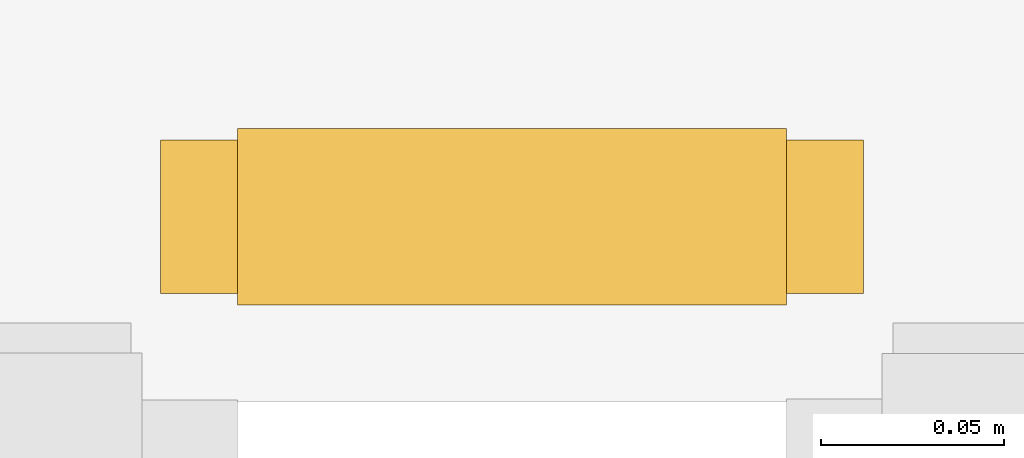
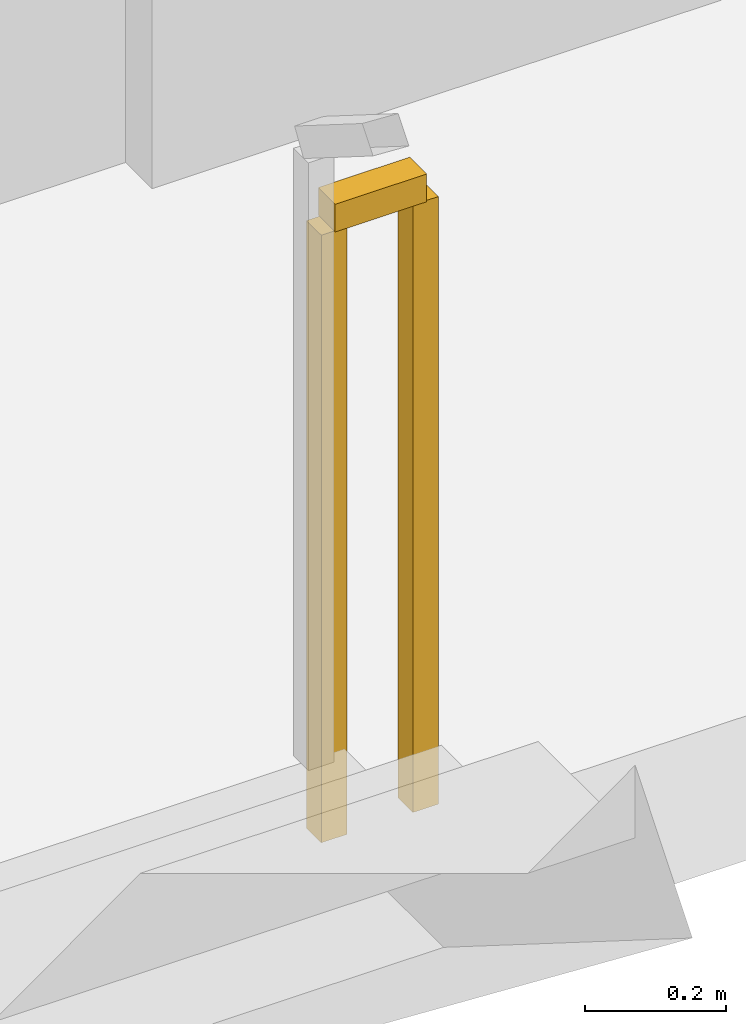
# One storey, part 15 of 18: 1 railing.
"""IFC4 building model written with IfcOpenShell, lengths in metres."""

from ifc_helpers import new_model, si_unit, direction, frame, origin, origin_2d, place, context, subcontext, project, spatial, rectangle, extrude, material, type_object, element, save


model = new_model("IFC4")

# Units and contexts
model_context = context("Model", 3, precision=1e-05, world=origin(), true_north=direction((0.0, 1.0)))
body_context = subcontext(model_context, "Body", "Model", "MODEL_VIEW")
ifc_project = project(units=[si_unit("LENGTHUNIT", "METRE"), si_unit("AREAUNIT", "SQUARE_METRE"), si_unit("VOLUMEUNIT", "CUBIC_METRE"), si_unit("PLANEANGLEUNIT", "RADIAN"), si_unit("MASSUNIT", "GRAM", prefix="KILO")], contexts=[model_context])

# Site, building, storey
site_placement = place(None, origin())
site = spatial("IfcSite", under=ifc_project, at=site_placement, CompositionType="ELEMENT")
building_placement = place(site_placement, origin())
building = spatial("IfcBuilding", under=site, at=building_placement, Name="Cinnabar Lancet Tower", CompositionType="ELEMENT")
storey_placement = place(building_placement, frame((0.0, 0.0, 15.0)))
storey = spatial("IfcBuildingStorey", under=building, at=storey_placement, Name="L03", CompositionType="ELEMENT", Elevation=15.0)

# Railing
ifc_material = material(Name="Painted galvanized steel balustrade", Category="steel")
railing_type = type_object("IfcRailingType", Name="GUARD-STAIR", PredefinedType="GUARDRAIL", material=ifc_material)
railing_placement = place(storey_placement, frame((15.7451171875, 16.199951171875, 0.0)))
element("IfcRailing", 1, at=railing_placement, inside=storey, type_object=railing_type, Name="L03 ST-3 stair guard 4", PredefinedType="GUARDRAIL", context=body_context, shape_type="SweptSolid", body=[
    extrude(rectangle(XDim=0.048095703125, YDim=0.048095703125, at=origin_2d()), frame((0.0, 0.0, 1.076171875), z_axis=(1.0, 0.0, 0.0), x_axis=(0.0, 1.0, 0.0)), (0.0, 0.0, 1.0), 0.14990234375),
    extrude(rectangle(XDim=0.0419921875, YDim=0.0419921875, at=origin_2d()), origin(), (0.0, 0.0, 1.0), 1.052001953125),
    extrude(rectangle(XDim=0.0419921875, YDim=0.0419921875, at=origin_2d()), frame((0.14990234375, 0.0, 0.0)), (0.0, 0.0, 1.0), 1.052001953125),
])

save(model, "model.ifc")
